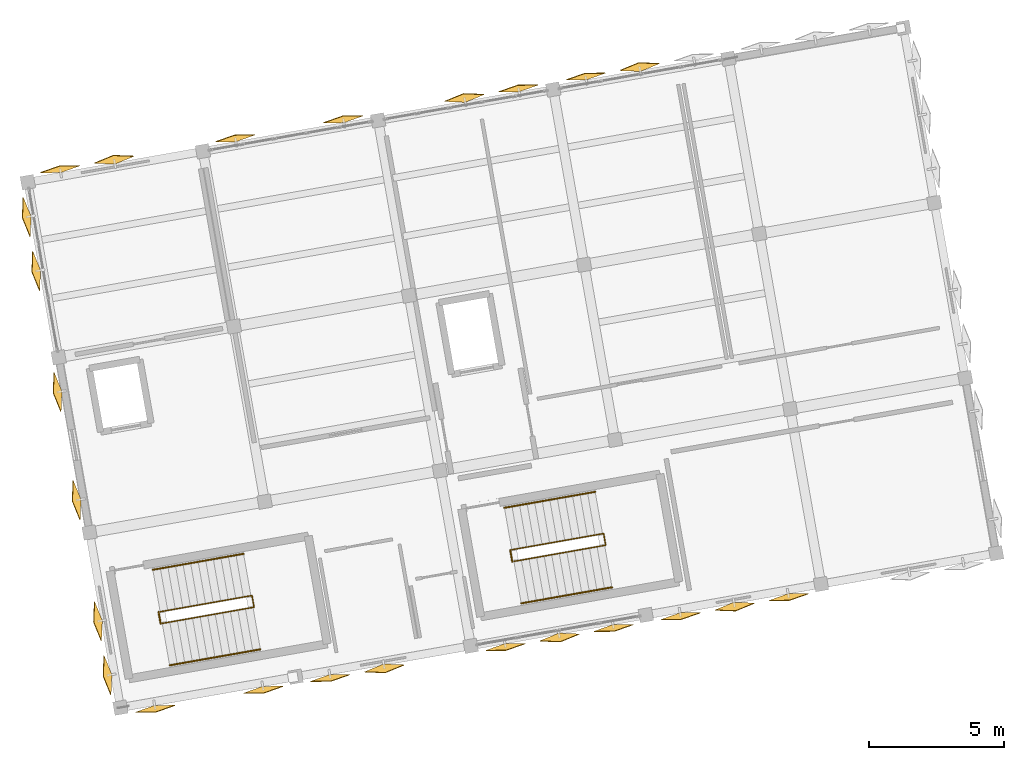
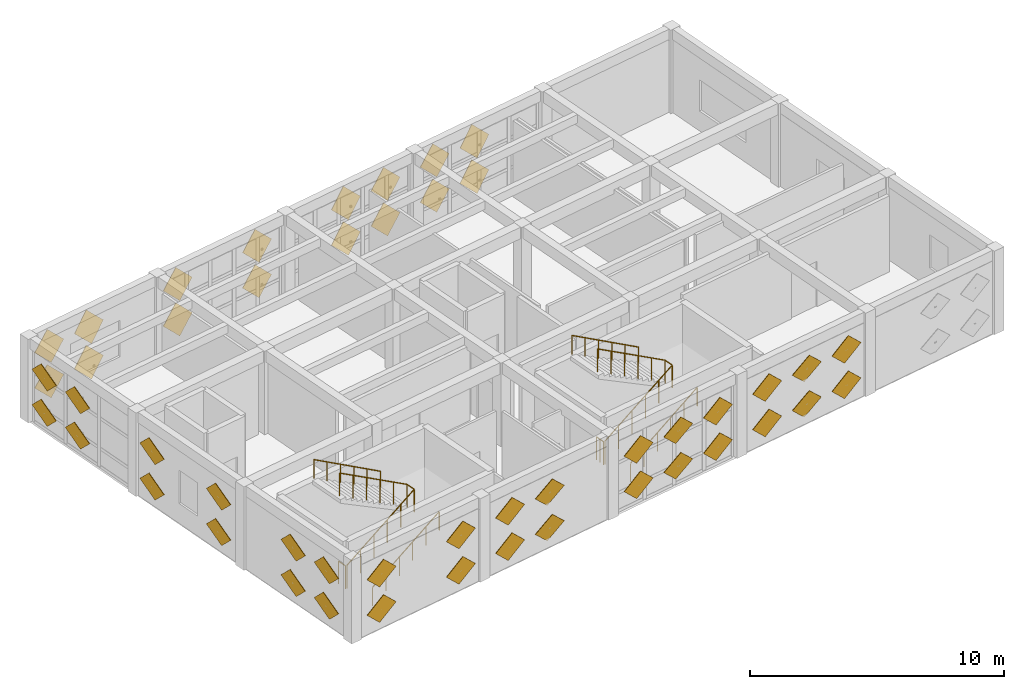
# One storey, part 14 of 15: 48 coverings, 8 railings.
"""IFC4 building model written with IfcOpenShell, lengths in metres."""

from ifc_helpers import new_model, si_unit, direction, frame, origin, origin_2d, place, context, subcontext, project, spatial, polyline, circle, outline, extrude, material, type_object, element, save


model = new_model("IFC4")

# Units and contexts
model_context = context("Model", 3, precision=1e-05, world=origin(), true_north=direction((0.0, 1.0)))
body_context = subcontext(model_context, "Body", "Model", "MODEL_VIEW")
ifc_project = project(units=[si_unit("LENGTHUNIT", "METRE"), si_unit("AREAUNIT", "SQUARE_METRE"), si_unit("VOLUMEUNIT", "CUBIC_METRE"), si_unit("PLANEANGLEUNIT", "RADIAN"), si_unit("MASSUNIT", "GRAM", prefix="KILO")], contexts=[model_context])

# Site, building, storey
site_placement = place(None, origin())
site = spatial("IfcSite", under=ifc_project, at=site_placement, CompositionType="ELEMENT")
building_placement = place(site_placement, origin())
building = spatial("IfcBuilding", under=site, at=building_placement, Name="Kharisveld Research Institute", CompositionType="ELEMENT")
storey_placement = place(building_placement, frame((0.0, 0.0, 40.800048828125)))
storey = spatial("IfcBuildingStorey", under=building, at=storey_placement, Name="L09", CompositionType="ELEMENT", Elevation=40.800048828125)

# Railings
ifc_material_1 = material(Name="Steel S355JR", Category="steel")
railing_type_1 = type_object("IfcRailingType", Name="RL_GRD_STR", PredefinedType="GUARDRAIL", material=ifc_material_1)
railing_1_placement = place(storey_placement, frame((6.75048828125, 38.13671875, 0.0)))
element("IfcRailing", 1, at=railing_1_placement, inside=storey, type_object=railing_type_1, Name="RLG:ST1:L09:GRD_SLOT", PredefinedType="GUARDRAIL", context=body_context, shape_type="SweptSolid", body=[
    extrude(circle(Radius=0.02392578125, at=origin_2d()), frame((0.0, 0.0, 1.09619140625), z_axis=(0.841896624573, 0.148449351084, 0.518818719492), x_axis=(-0.173648473997, 0.984807700761, 0.0)), (0.0, 0.0, 1.0), 4.04736328125),
    extrude(circle(Radius=0.02392578125, at=origin_2d()), frame((3.407470703125, 0.600830078125, 3.19580078125), z_axis=(-0.173658729201, 0.984805892434, 0.0), x_axis=(-0.984805892434, -0.173658729201, 0.0)), (0.0, 0.0, 1.0), 0.43994140625),
    extrude(circle(Radius=0.02392578125, at=origin_2d()), frame((3.3310546875, 1.0341796875, 3.19580078125), z_axis=(-0.841852707203, -0.148452243653, 0.518889150714), x_axis=(0.173660541335, -0.984805572884, 0.0)), (0.0, 0.0, 1.0), 4.04736328125),
    extrude(circle(Radius=0.02099609375, at=origin_2d()), origin(), (0.0, 0.0, 1.0), 1.072021484375),
    extrude(circle(Radius=0.02099609375, at=origin_2d()), frame((0.681396484375, 0.1201171875, 0.419921875)), (0.0, 0.0, 1.0), 1.072021484375),
    extrude(circle(Radius=0.02099609375, at=origin_2d()), frame((1.363037109375, 0.240234375, 0.83984375)), (0.0, 0.0, 1.0), 1.072021484375),
    extrude(circle(Radius=0.02099609375, at=origin_2d()), frame((2.04443359375, 0.360595703125, 1.260009765625)), (0.0, 0.0, 1.0), 1.072021484375),
    extrude(circle(Radius=0.02099609375, at=origin_2d()), frame((2.72607421875, 0.480712890625, 1.679931640625)), (0.0, 0.0, 1.0), 1.072021484375),
    extrude(circle(Radius=0.02099609375, at=origin_2d()), frame((3.407470703125, 0.600830078125, 2.099853515625)), (0.0, 0.0, 1.0), 1.072021484375),
    extrude(circle(Radius=0.02099609375, at=origin_2d()), frame((3.3310546875, 1.0341796875, 2.099853515625)), (0.0, 0.0, 1.0), 1.072021484375),
    extrude(circle(Radius=0.02099609375, at=origin_2d()), frame((2.649658203125, 0.9140625, 2.519775390625)), (0.0, 0.0, 1.0), 1.072021484375),
    extrude(circle(Radius=0.02099609375, at=origin_2d()), frame((1.96826171875, 0.7939453125, 2.93994140625)), (0.0, 0.0, 1.0), 1.072021484375),
    extrude(circle(Radius=0.02099609375, at=origin_2d()), frame((1.28662109375, 0.673583984375, 3.35986328125)), (0.0, 0.0, 1.0), 1.072021484375),
    extrude(circle(Radius=0.02099609375, at=origin_2d()), frame((0.605224609375, 0.553466796875, 3.780029296875)), (0.0, 0.0, 1.0), 1.072021484375),
    extrude(circle(Radius=0.02099609375, at=origin_2d()), frame((-0.076171875, 0.433349609375, 4.199951171875)), (0.0, 0.0, 1.0), 1.072021484375),
])
railing_2_placement = place(storey_placement, frame((6.69140625, 38.12646484375, 0.0)))
element("IfcRailing", 2, at=railing_2_placement, inside=storey, type_object=railing_type_1, Name="RLG:ST1:L09:GRD_FLRSLOT", PredefinedType="GUARDRAIL", context=body_context, shape_type="SweptSolid", body=[
    extrude(circle(Radius=0.02392578125, at=origin_2d()), frame((0.0, 0.0, 1.09619140625), z_axis=(-0.173753665698, 0.984789146801, 0.0), x_axis=(-0.984789146801, -0.173753665698, 0.0)), (0.0, 0.0, 1.0), 0.439697265625),
    extrude(circle(Radius=0.02099609375, at=origin_2d()), origin(), (0.0, 0.0, 1.0), 1.072021484375),
    extrude(circle(Radius=0.02099609375, at=origin_2d()), frame((-0.076416015625, 0.43310546875, 0.0)), (0.0, 0.0, 1.0), 1.072021484375),
])
railing_3_placement = place(storey_placement, frame((19.79931640625, 40.4375, 0.0)))
element("IfcRailing", 3, at=railing_3_placement, inside=storey, type_object=railing_type_1, Name="RLG:ST2:L09:GRD_SLOT", PredefinedType="GUARDRAIL", context=body_context, shape_type="SweptSolid", body=[
    extrude(circle(Radius=0.02392578125, at=origin_2d()), frame((0.0, 0.0, 1.09619140625), z_axis=(0.841896624573, 0.148449351084, 0.518818719492), x_axis=(-0.173648473997, 0.984807700761, 0.0)), (0.0, 0.0, 1.0), 4.04736328125),
    extrude(circle(Radius=0.02392578125, at=origin_2d()), frame((3.407470703125, 0.600830078125, 3.19580078125), z_axis=(-0.173658729201, 0.984805892434, 0.0), x_axis=(-0.984805892434, -0.173658729201, 0.0)), (0.0, 0.0, 1.0), 0.43994140625),
    extrude(circle(Radius=0.02392578125, at=origin_2d()), frame((3.3310546875, 1.0341796875, 3.19580078125), z_axis=(-0.841870276676, -0.14844470523, 0.518862801459), x_axis=(0.173648473997, -0.984807700761, 0.0)), (0.0, 0.0, 1.0), 4.047607421875),
    extrude(circle(Radius=0.02099609375, at=origin_2d()), origin(), (0.0, 0.0, 1.0), 1.072021484375),
    extrude(circle(Radius=0.02099609375, at=origin_2d()), frame((0.681396484375, 0.1201171875, 0.419921875)), (0.0, 0.0, 1.0), 1.072021484375),
    extrude(circle(Radius=0.02099609375, at=origin_2d()), frame((1.363037109375, 0.240234375, 0.83984375)), (0.0, 0.0, 1.0), 1.072021484375),
    extrude(circle(Radius=0.02099609375, at=origin_2d()), frame((2.04443359375, 0.360595703125, 1.260009765625)), (0.0, 0.0, 1.0), 1.072021484375),
    extrude(circle(Radius=0.02099609375, at=origin_2d()), frame((2.72607421875, 0.480712890625, 1.679931640625)), (0.0, 0.0, 1.0), 1.072021484375),
    extrude(circle(Radius=0.02099609375, at=origin_2d()), frame((3.407470703125, 0.600830078125, 2.099853515625)), (0.0, 0.0, 1.0), 1.072021484375),
    extrude(circle(Radius=0.02099609375, at=origin_2d()), frame((3.3310546875, 1.0341796875, 2.099853515625)), (0.0, 0.0, 1.0), 1.072021484375),
    extrude(circle(Radius=0.02099609375, at=origin_2d()), frame((2.649658203125, 0.9140625, 2.519775390625)), (0.0, 0.0, 1.0), 1.072021484375),
    extrude(circle(Radius=0.02099609375, at=origin_2d()), frame((1.968017578125, 0.7939453125, 2.93994140625)), (0.0, 0.0, 1.0), 1.072021484375),
    extrude(circle(Radius=0.02099609375, at=origin_2d()), frame((1.28662109375, 0.673583984375, 3.35986328125)), (0.0, 0.0, 1.0), 1.072021484375),
    extrude(circle(Radius=0.02099609375, at=origin_2d()), frame((0.60498046875, 0.553466796875, 3.780029296875)), (0.0, 0.0, 1.0), 1.072021484375),
    extrude(circle(Radius=0.02099609375, at=origin_2d()), frame((-0.076416015625, 0.433349609375, 4.199951171875)), (0.0, 0.0, 1.0), 1.072021484375),
])
railing_4_placement = place(storey_placement, frame((19.740234375, 40.42724609375, 0.0)))
element("IfcRailing", 4, at=railing_4_placement, inside=storey, type_object=railing_type_1, Name="RLG:ST2:L09:GRD_FLRSLOT", PredefinedType="GUARDRAIL", context=body_context, shape_type="SweptSolid", body=[
    extrude(circle(Radius=0.02392578125, at=origin_2d()), frame((0.0, 0.0, 1.09619140625), z_axis=(-0.173658729201, 0.984805892434, 0.0), x_axis=(-0.984805892434, -0.173658729201, 0.0)), (0.0, 0.0, 1.0), 0.43994140625),
    extrude(circle(Radius=0.02099609375, at=origin_2d()), origin(), (0.0, 0.0, 1.0), 1.072021484375),
    extrude(circle(Radius=0.02099609375, at=origin_2d()), frame((-0.0380859375, 0.216796875, 0.0)), (0.0, 0.0, 1.0), 1.072021484375),
    extrude(circle(Radius=0.02099609375, at=origin_2d()), frame((-0.076416015625, 0.433349609375, 0.0)), (0.0, 0.0, 1.0), 1.072021484375),
])
ifc_material_2 = material(Name="Stainless Steel 316", Category="steel")
railing_type_2 = type_object("IfcRailingType", Name="RL_HND_STR", PredefinedType="HANDRAIL", material=ifc_material_2)
railing_5_placement = place(storey_placement, frame((7.02490234375, 36.580810546875, 0.0)))
element("IfcRailing", 5, at=railing_5_placement, inside=storey, type_object=railing_type_2, Name="RLG:ST1:L09:HR1", PredefinedType="HANDRAIL", context=body_context, shape_type="SweptSolid", body=[
    extrude(circle(Radius=0.02392578125, at=origin_2d()), frame((0.0, 0.0, 0.89599609375), z_axis=(0.839253735377, 0.14794614993, 0.523225672512), x_axis=(-0.173606152129, 0.984815162324, 0.0)), (0.0, 0.0, 1.0), 4.01318359375),
    extrude(circle(Radius=0.02099609375, at=origin_2d()), origin(), (0.0, 0.0, 1.0), 0.871826171875),
    extrude(circle(Radius=0.02099609375, at=origin_2d()), frame((0.673583984375, 0.11865234375, 0.419921875)), (0.0, 0.0, 1.0), 0.871826171875),
    extrude(circle(Radius=0.02099609375, at=origin_2d()), frame((1.34716796875, 0.237548828125, 0.83984375)), (0.0, 0.0, 1.0), 0.871826171875),
    extrude(circle(Radius=0.02099609375, at=origin_2d()), frame((2.02099609375, 0.356201171875, 1.260009765625)), (0.0, 0.0, 1.0), 0.871826171875),
    extrude(circle(Radius=0.02099609375, at=origin_2d()), frame((2.694580078125, 0.47509765625, 1.679931640625)), (0.0, 0.0, 1.0), 0.871826171875),
    extrude(circle(Radius=0.02099609375, at=origin_2d()), frame((3.3681640625, 0.59375, 2.099853515625)), (0.0, 0.0, 1.0), 0.871826171875),
])
railing_6_placement = place(storey_placement, frame((9.767822265625, 40.719970703125, 2.099853515625)))
element("IfcRailing", 6, at=railing_6_placement, inside=storey, type_object=railing_type_2, Name="RLG:ST1:L09:HR2", PredefinedType="HANDRAIL", context=body_context, shape_type="SweptSolid", body=[
    extrude(circle(Radius=0.02392578125, at=origin_2d()), frame((0.0, 0.0, 0.89599609375), z_axis=(-0.839201478433, -0.148008495616, 0.523291853387), x_axis=(0.173687593446, -0.984800802134, 0.0)), (0.0, 0.0, 1.0), 4.01318359375),
    extrude(circle(Radius=0.02099609375, at=origin_2d()), origin(), (0.0, 0.0, 1.0), 0.871826171875),
    extrude(circle(Radius=0.02099609375, at=origin_2d()), frame((-0.673583984375, -0.118896484375, 0.419921875)), (0.0, 0.0, 1.0), 0.871826171875),
    extrude(circle(Radius=0.02099609375, at=origin_2d()), frame((-1.34716796875, -0.237548828125, 0.840087890625)), (0.0, 0.0, 1.0), 0.871826171875),
    extrude(circle(Radius=0.02099609375, at=origin_2d()), frame((-2.020751953125, -0.3564453125, 1.260009765625)), (0.0, 0.0, 1.0), 0.871826171875),
    extrude(circle(Radius=0.02099609375, at=origin_2d()), frame((-2.6943359375, -0.47509765625, 1.68017578125)), (0.0, 0.0, 1.0), 0.871826171875),
    extrude(circle(Radius=0.02099609375, at=origin_2d()), frame((-3.367919921875, -0.593994140625, 2.10009765625)), (0.0, 0.0, 1.0), 0.871826171875),
])
railing_7_placement = place(storey_placement, frame((20.07373046875, 38.881591796875, 0.0)))
element("IfcRailing", 7, at=railing_7_placement, inside=storey, type_object=railing_type_2, Name="RLG:ST2:L09:HR1", PredefinedType="HANDRAIL", context=body_context, shape_type="SweptSolid", body=[
    extrude(circle(Radius=0.02392578125, at=origin_2d()), frame((0.0, 0.0, 0.89599609375), z_axis=(0.839228193129, 0.148013207241, 0.523247675905), x_axis=(-0.173687593446, 0.984800802134, 0.0)), (0.0, 0.0, 1.0), 4.01318359375),
    extrude(circle(Radius=0.02099609375, at=origin_2d()), origin(), (0.0, 0.0, 1.0), 0.871826171875),
    extrude(circle(Radius=0.02099609375, at=origin_2d()), frame((0.673583984375, 0.118896484375, 0.419921875)), (0.0, 0.0, 1.0), 0.871826171875),
    extrude(circle(Radius=0.02099609375, at=origin_2d()), frame((1.34716796875, 0.237548828125, 0.83984375)), (0.0, 0.0, 1.0), 0.871826171875),
    extrude(circle(Radius=0.02099609375, at=origin_2d()), frame((2.020751953125, 0.3564453125, 1.260009765625)), (0.0, 0.0, 1.0), 0.871826171875),
    extrude(circle(Radius=0.02099609375, at=origin_2d()), frame((2.6943359375, 0.47509765625, 1.679931640625)), (0.0, 0.0, 1.0), 0.871826171875),
    extrude(circle(Radius=0.02099609375, at=origin_2d()), frame((3.367919921875, 0.593994140625, 2.099853515625)), (0.0, 0.0, 1.0), 0.871826171875),
])
railing_8_placement = place(storey_placement, frame((22.816650390625, 43.020751953125, 2.099853515625)))
element("IfcRailing", 8, at=railing_8_placement, inside=storey, type_object=railing_type_2, Name="RLG:ST2:L09:HR2", PredefinedType="HANDRAIL", context=body_context, shape_type="SweptSolid", body=[
    extrude(circle(Radius=0.02392578125, at=origin_2d()), frame((0.0, 0.0, 0.89599609375), z_axis=(-0.839227022115, -0.147941440837, 0.523269849538), x_axis=(0.173606152129, -0.984815162324, 0.0)), (0.0, 0.0, 1.0), 4.013427734375),
    extrude(circle(Radius=0.02099609375, at=origin_2d()), origin(), (0.0, 0.0, 1.0), 0.871826171875),
    extrude(circle(Radius=0.02099609375, at=origin_2d()), frame((-0.673583984375, -0.11865234375, 0.419921875)), (0.0, 0.0, 1.0), 0.871826171875),
    extrude(circle(Radius=0.02099609375, at=origin_2d()), frame((-1.34716796875, -0.237548828125, 0.840087890625)), (0.0, 0.0, 1.0), 0.871826171875),
    extrude(circle(Radius=0.02099609375, at=origin_2d()), frame((-2.02099609375, -0.356201171875, 1.260009765625)), (0.0, 0.0, 1.0), 0.871826171875),
    extrude(circle(Radius=0.02099609375, at=origin_2d()), frame((-2.694580078125, -0.47509765625, 1.68017578125)), (0.0, 0.0, 1.0), 0.871826171875),
    extrude(circle(Radius=0.02099609375, at=origin_2d()), frame((-3.3681640625, -0.59375, 2.10009765625)), (0.0, 0.0, 1.0), 0.871826171875),
])

# Coverings
ifc_material_3 = material(Name="White Powder-Coated Perforated Aluminium", Category="aluminium")
covering_type = type_object("IfcCoveringType", Name="CV_DIA_105", PredefinedType="CLADDING")
for number, where, z_axis, x_axis, name in (
    (9, (4.8828125, 36.23681640625, 0.3251953125), (0.961487125864, 0.169504241221, 0.216358080518), (-0.27342850239, 0.669853329409, 0.690313965642), "SHD:V1:L09:W0:S0C0"),
    (10, (4.8828125, 36.23681640625, 2.025146484375), (0.961487125864, 0.169504241221, 0.216358080518), (-0.27342850239, 0.669853329409, 0.690313965642), "SHD:V1:L09:W0:S0C1"),
):
    element("IfcCovering", number, at=place(storey_placement, frame(where, z_axis=z_axis, x_axis=x_axis)), inside=storey, type_object=covering_type, material=ifc_material_3, Name=name, PredefinedType="CLADDING", context=body_context, shape_type="SweptSolid", body=[
        extrude(outline(polyline([(0.0, 0.0), (1.0500345519602505, 0.0), (1.0499807392517624, 1.0499534878027108), (-5.381270848814346e-05, 1.049953487802711), (0.0, 0.0)])), origin(), (0.0, 0.0, -1.0), 0.02392578125),
    ])
for number, where, z_axis, x_axis, name in (
    (11, (4.529052734375, 38.24267578125, 0.3251953125), (0.961476347302, 0.169530643305, 0.21638529192), (-0.273471090272, 0.669725119033, 0.690421485559), "SHD:V1:L09:W0:S1C0"),
    (12, (4.529052734375, 38.24267578125, 2.025146484375), (0.961476347302, 0.169530643305, 0.21638529192), (-0.273471090272, 0.669725119033, 0.690421485559), "SHD:V1:L09:W0:S1C1"),
):
    element("IfcCovering", number, at=place(storey_placement, frame(where, z_axis=z_axis, x_axis=x_axis)), inside=storey, type_object=covering_type, material=ifc_material_3, Name=name, PredefinedType="CLADDING", context=body_context, shape_type="SweptSolid", body=[
        extrude(outline(polyline([(0.0, 0.0), (1.0498710291992122, 0.0), (1.0499937163043682, 1.0499534820137317), (0.00012268710515594972, 1.049953482013732), (0.0, 0.0)])), origin(), (0.0, 0.0, -1.0), 0.02392578125),
    ])
for number, where, z_axis, x_axis, name in (
    (13, (3.73681640625, 42.736572265625, 0.3251953125), (0.961425979727, 0.169653966706, 0.216512394765), (-0.27364360613, 0.669810730042, 0.69027006508), "SHD:V1:L09:W1:S0C0"),
    (14, (3.73681640625, 42.736572265625, 2.025146484375), (0.961425979727, 0.169653966706, 0.216512394765), (-0.27364360613, 0.669810730042, 0.69027006508), "SHD:V1:L09:W1:S0C1"),
):
    element("IfcCovering", number, at=place(storey_placement, frame(where, z_axis=z_axis, x_axis=x_axis)), inside=storey, type_object=covering_type, material=ifc_material_3, Name=name, PredefinedType="CLADDING", context=body_context, shape_type="SweptSolid", body=[
        extrude(outline(polyline([(0.0, 0.0), (1.0501013332243323, 1.1102230246251565e-16), (1.050054335240126, 1.049953488129867), (-4.699798420648715e-05, 1.049953488129867), (0.0, 0.0)])), origin(), (0.0, 0.0, -1.0), 0.02392578125),
    ])
for number, where, z_axis, x_axis, name in (
    (15, (3.029541015625, 46.748046875, 0.3251953125), (0.961453431325, 0.169498301082, 0.216512413788), (-0.273536150679, 0.669829678259, 0.690294267972), "SHD:V1:L09:W1:S2C0"),
    (16, (3.029541015625, 46.748046875, 2.025146484375), (0.961453431325, 0.169498301082, 0.216512413788), (-0.273536150679, 0.669829678259, 0.690294267972), "SHD:V1:L09:W1:S2C1"),
):
    element("IfcCovering", number, at=place(storey_placement, frame(where, z_axis=z_axis, x_axis=x_axis)), inside=storey, type_object=covering_type, material=ifc_material_3, Name=name, PredefinedType="CLADDING", context=body_context, shape_type="SweptSolid", body=[
        extrude(outline(polyline([(0.0, 0.0), (1.050101326665668, -1.1102230246251565e-16), (1.050054341798497, 1.049953481570866), (1.9796419616024963e-05, 1.0499603230588543), (0.0, 0.0)])), origin(), (0.0, 0.0, -1.0), 0.02392578125),
    ])
for number, where, z_axis, x_axis, name in (
    (17, (2.237060546875, 51.2421875, 0.3251953125), (0.961420032054, 0.169652917176, 0.216539626071), (-0.273667258538, 0.669685861016, 0.690381835769), "SHD:V1:L09:W2:S1C0"),
    (18, (2.237060546875, 51.2421875, 2.025146484375), (0.961420032054, 0.169652917176, 0.216539626071), (-0.273667258538, 0.669685861016, 0.690381835769), "SHD:V1:L09:W2:S1C1"),
):
    element("IfcCovering", number, at=place(storey_placement, frame(where, z_axis=z_axis, x_axis=x_axis)), inside=storey, type_object=covering_type, material=ifc_material_3, Name=name, PredefinedType="CLADDING", context=body_context, shape_type="SweptSolid", body=[
        extrude(outline(polyline([(0.0, 0.0), (1.0499378206599106, 0.0), (1.0500673127316735, 1.0499534809922781), (-3.40054528989997e-05, 1.0501299963078314), (0.0, 0.0)])), origin(), (0.0, 0.0, -1.0), 0.02392578125),
    ])
for number, where, z_axis, x_axis, name in (
    (19, (1.88330078125, 53.247802734375, 0.3251953125), (0.961481187298, 0.169503194288, 0.216385289699), (-0.273447448775, 0.669849989418, 0.690309701826), "SHD:V1:L09:W2:S2C0"),
    (20, (1.88330078125, 53.247802734375, 2.025146484375), (0.961481187298, 0.169503194288, 0.216385289699), (-0.273447448775, 0.669849989418, 0.690309701826), "SHD:V1:L09:W2:S2C1"),
):
    element("IfcCovering", number, at=place(storey_placement, frame(where, z_axis=z_axis, x_axis=x_axis)), inside=storey, type_object=covering_type, material=ifc_material_3, Name=name, PredefinedType="CLADDING", context=body_context, shape_type="SweptSolid", body=[
        extrude(outline(polyline([(0.0, 0.0), (1.0500345517563856, -1.1102230246251565e-16), (1.0498172010450848, 1.0501299743656882), (-5.381311622809637e-05, 1.0499534875988095), (0.0, 0.0)])), origin(), (0.0, 0.0, -1.0), 0.02392578125),
    ])
for number, where, z_axis, x_axis, name in (
    (21, (2.98193359375, 54.864013671875, 0.317626953125), (0.171238636855, -0.971325222312, 0.164938296792), (0.676075661849, 0.237622709321, 0.697464800165), "SHD:V1:L09:N0:S0C0"),
    (22, (2.98193359375, 54.864013671875, 2.017578125), (0.171238636855, -0.971325222312, 0.164938296792), (0.676075661849, 0.237622709321, 0.697464800165), "SHD:V1:L09:N0:S0C1"),
):
    element("IfcCovering", number, at=place(storey_placement, frame(where, z_axis=z_axis, x_axis=x_axis)), inside=storey, type_object=covering_type, material=ifc_material_3, Name=name, PredefinedType="CLADDING", context=body_context, shape_type="SweptSolid", body=[
        extrude(outline(polyline([(0.0, 0.0), (1.050115438007933, 0.0), (1.0501038593359955, 1.049914857016463), (0.00015870082029023624, 1.050085115691115), (0.0, 0.0)])), origin(), (0.0, 0.0, -1.0), 0.02392578125),
    ])
for number, where, z_axis, x_axis, name in (
    (23, (4.994384765625, 55.179931640625, 0.3251953125), (0.169497253476, -0.961447488939, 0.216539620108), (0.669826337005, 0.273555095257, 0.690290002907), "SHD:V1:L09:N0:S1C0"),
    (24, (4.994384765625, 55.179931640625, 2.025146484375), (0.169497253476, -0.961447488939, 0.216539620108), (0.669826337005, 0.273555095257, 0.690290002907), "SHD:V1:L09:N0:S1C1"),
):
    element("IfcCovering", number, at=place(storey_placement, frame(where, z_axis=z_axis, x_axis=x_axis)), inside=storey, type_object=covering_type, material=ifc_material_3, Name=name, PredefinedType="CLADDING", context=body_context, shape_type="SweptSolid", body=[
        extrude(outline(polyline([(0.0, 0.0), (1.0501013287743868, 0.0), (1.0498908116789152, 1.0501299715118642), (1.9800637014233402e-05, 1.0499603251677767), (0.0, 0.0)])), origin(), (0.0, 0.0, -1.0), 0.02392578125),
    ])
for number, where, z_axis, x_axis, name in (
    (25, (9.481689453125, 56.010009765625, 0.317626953125), (0.171234061711, -0.9712992705, 0.165095800177), (0.67605633082, 0.237732396439, 0.697446159385), "SHD:V1:L09:N1:S0C0"),
    (26, (9.481689453125, 56.010009765625, 2.017578125), (0.171234061711, -0.9712992705, 0.165095800177), (0.67605633082, 0.237732396439, 0.697446159385), "SHD:V1:L09:N1:S0C1"),
):
    element("IfcCovering", number, at=place(storey_placement, frame(where, z_axis=z_axis, x_axis=x_axis)), inside=storey, type_object=covering_type, material=ifc_material_3, Name=name, PredefinedType="CLADDING", context=body_context, shape_type="SweptSolid", body=[
        extrude(outline(polyline([(0.0, 0.0), (1.050115429038497, -1.1102230246251565e-16), (1.0501618771158647, 1.0499129452537745), (0.00015868288277420817, 1.050085106724131), (0.0, 0.0)])), origin(), (0.0, 0.0, -1.0), 0.02392578125),
    ])
for number, where, z_axis, x_axis, name in (
    (27, (13.4931640625, 56.71728515625, 0.317626953125), (0.171391321025, -0.971271535422, 0.16509578903), (0.676038293912, 0.237842070836, 0.697426250226), "SHD:V1:L09:N1:S2C0"),
    (28, (13.4931640625, 56.71728515625, 2.017578125), (0.171391321025, -0.971271535422, 0.16509578903), (0.676038293912, 0.237842070836, 0.697426250226), "SHD:V1:L09:N1:S2C1"),
):
    element("IfcCovering", number, at=place(storey_placement, frame(where, z_axis=z_axis, x_axis=x_axis)), inside=storey, type_object=covering_type, material=ifc_material_3, Name=name, PredefinedType="CLADDING", context=body_context, shape_type="SweptSolid", body=[
        extrude(outline(polyline([(0.0, 0.0), (1.0501734735939505, -1.1102230246251565e-16), (1.0501599658262741, 1.049914856993047), (0.00015676231294525778, 1.0500851159819262), (0.0, 0.0)])), origin(), (0.0, 0.0, -1.0), 0.02392578125),
    ])
for number, where, z_axis, x_axis, name in (
    (29, (17.993896484375, 57.47216796875, 0.3251953125), (0.169530643305, -0.961476347302, 0.21638529192), (0.669725119033, 0.273471090272, 0.690421485559), "SHD:V1:L09:N2:S1C0"),
    (30, (17.993896484375, 57.47216796875, 2.025146484375), (0.169530643305, -0.961476347302, 0.21638529192), (0.669725119033, 0.273471090272, 0.690421485559), "SHD:V1:L09:N2:S1C1"),
):
    element("IfcCovering", number, at=place(storey_placement, frame(where, z_axis=z_axis, x_axis=x_axis)), inside=storey, type_object=covering_type, material=ifc_material_3, Name=name, PredefinedType="CLADDING", context=body_context, shape_type="SweptSolid", body=[
        extrude(outline(polyline([(0.0, 0.0), (1.0498710291992122, 0.0), (1.0499937163043682, 1.0499534820137317), (0.00012268710515594972, 1.049953482013732), (0.0, 0.0)])), origin(), (0.0, 0.0, -1.0), 0.02392578125),
    ])
for number, where, z_axis, x_axis, name in (
    (31, (19.992919921875, 57.863525390625, 0.317626953125), (0.171238636855, -0.971325222312, 0.164938296792), (0.676075661849, 0.237622709321, 0.697464800165), "SHD:V1:L09:N2:S2C0"),
    (32, (19.992919921875, 57.863525390625, 2.017578125), (0.171238636855, -0.971325222312, 0.164938296792), (0.676075661849, 0.237622709321, 0.697464800165), "SHD:V1:L09:N2:S2C1"),
    (33, (22.481201171875, 58.30224609375, 0.317626953125), (0.171238636855, -0.971325222312, 0.164938296792), (0.676075661849, 0.237622709321, 0.697464800165), "SHD:V1:L09:N3:S0C0"),
    (34, (22.481201171875, 58.30224609375, 2.017578125), (0.171238636855, -0.971325222312, 0.164938296792), (0.676075661849, 0.237622709321, 0.697464800165), "SHD:V1:L09:N3:S0C1"),
):
    element("IfcCovering", number, at=place(storey_placement, frame(where, z_axis=z_axis, x_axis=x_axis)), inside=storey, type_object=covering_type, material=ifc_material_3, Name=name, PredefinedType="CLADDING", context=body_context, shape_type="SweptSolid", body=[
        extrude(outline(polyline([(0.0, 0.0), (1.050115438007933, 0.0), (1.0501038593359955, 1.049914857016463), (0.00015870082029023624, 1.050085115691115), (0.0, 0.0)])), origin(), (0.0, 0.0, -1.0), 0.02392578125),
    ])
for number, where, z_axis, x_axis, name in (
    (35, (24.49365234375, 58.6181640625, 0.3251953125), (0.169497253476, -0.961447488939, 0.216539620108), (0.669704807286, 0.273559805143, 0.690406042925), "SHD:V1:L09:N3:S1C0"),
    (36, (24.49365234375, 58.6181640625, 2.025146484375), (0.169497253476, -0.961447488939, 0.216539620108), (0.669704807286, 0.273559805143, 0.690406042925), "SHD:V1:L09:N3:S1C1"),
):
    element("IfcCovering", number, at=place(storey_placement, frame(where, z_axis=z_axis, x_axis=x_axis)), inside=storey, type_object=covering_type, material=ifc_material_3, Name=name, PredefinedType="CLADDING", context=body_context, shape_type="SweptSolid", body=[
        extrude(outline(polyline([(0.0, 0.0), (1.0499378117878446, 0.0), (1.0500673216048337, 1.0499534721181558), (3.2794728575202825e-05, 1.0501368269494782), (0.0, 0.0)])), origin(), (0.0, 0.0, -1.0), 0.02392578125),
    ])
for number, where, z_axis, x_axis, name in (
    (37, (29.978759765625, 39.239501953125, 0.317626953125), (-0.171238636855, 0.971325222312, 0.164938296792), (-0.676075661849, -0.237622709321, 0.697464800165), "SHD:V1:L09:S4:S0C0"),
    (38, (29.978759765625, 39.239501953125, 2.017578125), (-0.171238636855, 0.971325222312, 0.164938296792), (-0.676075661849, -0.237622709321, 0.697464800165), "SHD:V1:L09:S4:S0C1"),
):
    element("IfcCovering", number, at=place(storey_placement, frame(where, z_axis=z_axis, x_axis=x_axis)), inside=storey, type_object=covering_type, material=ifc_material_3, Name=name, PredefinedType="CLADDING", context=body_context, shape_type="SweptSolid", body=[
        extrude(outline(polyline([(0.0, 0.0), (1.050115438007933, 0.0), (1.0501038593359955, 1.049914857016463), (0.00015870082029023624, 1.050085115691115), (0.0, 0.0)])), origin(), (0.0, 0.0, -1.0), 0.02392578125),
    ])
for number, where, z_axis, x_axis, name in (
    (39, (27.96630859375, 38.923583984375, 0.3251953125), (-0.169497253476, 0.961447488939, 0.216539620108), (-0.669826337005, -0.273555095257, 0.690290002907), "SHD:V1:L09:S4:S1C0"),
    (40, (27.96630859375, 38.923583984375, 2.025146484375), (-0.169497253476, 0.961447488939, 0.216539620108), (-0.669826337005, -0.273555095257, 0.690290002907), "SHD:V1:L09:S4:S1C1"),
):
    element("IfcCovering", number, at=place(storey_placement, frame(where, z_axis=z_axis, x_axis=x_axis)), inside=storey, type_object=covering_type, material=ifc_material_3, Name=name, PredefinedType="CLADDING", context=body_context, shape_type="SweptSolid", body=[
        extrude(outline(polyline([(0.0, 0.0), (1.0501013287743868, 0.0), (1.0498908116789152, 1.0501299715118642), (1.9800637014233402e-05, 1.0499603251677767), (0.0, 0.0)])), origin(), (0.0, 0.0, -1.0), 0.02392578125),
    ])
for number, where, z_axis, x_axis, name in (
    (41, (25.96728515625, 38.5322265625, 0.317626953125), (-0.171234061711, 0.9712992705, 0.165095800177), (-0.67605633082, -0.237732396439, 0.697446159385), "SHD:V1:L09:S4:S2C0"),
    (42, (25.96728515625, 38.5322265625, 2.017578125), (-0.171234061711, 0.9712992705, 0.165095800177), (-0.67605633082, -0.237732396439, 0.697446159385), "SHD:V1:L09:S4:S2C1"),
    (43, (23.47900390625, 38.093505859375, 0.317626953125), (-0.171234061711, 0.9712992705, 0.165095800177), (-0.67605633082, -0.237732396439, 0.697446159385), "SHD:V1:L09:S3:S0C0"),
    (44, (23.47900390625, 38.093505859375, 2.017578125), (-0.171234061711, 0.9712992705, 0.165095800177), (-0.67605633082, -0.237732396439, 0.697446159385), "SHD:V1:L09:S3:S0C1"),
):
    element("IfcCovering", number, at=place(storey_placement, frame(where, z_axis=z_axis, x_axis=x_axis)), inside=storey, type_object=covering_type, material=ifc_material_3, Name=name, PredefinedType="CLADDING", context=body_context, shape_type="SweptSolid", body=[
        extrude(outline(polyline([(0.0, 0.0), (1.050115429038497, -1.1102230246251565e-16), (1.0501618771158647, 1.0499129452537745), (0.00015868288277420817, 1.050085106724131), (0.0, 0.0)])), origin(), (0.0, 0.0, -1.0), 0.02392578125),
    ])
for number, where, z_axis, x_axis, name in (
    (45, (21.466552734375, 37.77734375, 0.3251953125), (-0.169503194288, 0.961481187298, 0.216385289699), (-0.669849989418, -0.273447448775, 0.690309701826), "SHD:V1:L09:S3:S1C0"),
    (46, (21.466552734375, 37.77734375, 2.025146484375), (-0.169503194288, 0.961481187298, 0.216385289699), (-0.669849989418, -0.273447448775, 0.690309701826), "SHD:V1:L09:S3:S1C1"),
):
    element("IfcCovering", number, at=place(storey_placement, frame(where, z_axis=z_axis, x_axis=x_axis)), inside=storey, type_object=covering_type, material=ifc_material_3, Name=name, PredefinedType="CLADDING", context=body_context, shape_type="SweptSolid", body=[
        extrude(outline(polyline([(0.0, 0.0), (1.0500345517563856, -1.1102230246251565e-16), (1.0498172010450848, 1.0501299743656882), (-5.381311622809637e-05, 1.0499534875988095), (0.0, 0.0)])), origin(), (0.0, 0.0, -1.0), 0.02392578125),
    ])
for number, where, z_axis, x_axis, name in (
    (47, (19.467529296875, 37.38623046875, 0.317626953125), (-0.171234061711, 0.9712992705, 0.165095800177), (-0.676057632461, -0.237732410628, 0.697444892825), "SHD:V1:L09:S3:S2C0"),
    (48, (19.467529296875, 37.38623046875, 2.017578125), (-0.171234061711, 0.9712992705, 0.165095800177), (-0.676057632461, -0.237732410628, 0.697444892825), "SHD:V1:L09:S3:S2C1"),
):
    element("IfcCovering", number, at=place(storey_placement, frame(where, z_axis=z_axis, x_axis=x_axis)), inside=storey, type_object=covering_type, material=ifc_material_3, Name=name, PredefinedType="CLADDING", context=body_context, shape_type="SweptSolid", body=[
        extrude(outline(polyline([(0.0, 0.0), (1.050173469176079, 1.1102230246251565e-16), (1.0501599702440891, 1.049914852574201), (0.0002148158393612265, 1.050083199772804), (0.0, 0.0)])), origin(), (0.0, 0.0, -1.0), 0.02392578125),
    ])
for number, where, z_axis, x_axis, name in (
    (49, (14.966796875, 36.63134765625, 0.3251953125), (-0.16952470156, 0.961442649282, 0.216539621552), (-0.66970617229, -0.273578570302, 0.690397283213), "SHD:V1:L09:S2:S1C0"),
    (50, (14.966796875, 36.63134765625, 2.025146484375), (-0.16952470156, 0.961442649282, 0.216539621552), (-0.66970617229, -0.273578570302, 0.690397283213), "SHD:V1:L09:S2:S1C1"),
):
    element("IfcCovering", number, at=place(storey_placement, frame(where, z_axis=z_axis, x_axis=x_axis)), inside=storey, type_object=covering_type, material=ifc_material_3, Name=name, PredefinedType="CLADDING", context=body_context, shape_type="SweptSolid", body=[
        extrude(outline(polyline([(0.0, 0.0), (1.0498710226392558, 0.0), (1.0500604882684064, 1.0499603061510638), (0.00012267398601040203, 1.0499534754558235), (0.0, 0.0)])), origin(), (0.0, 0.0, -1.0), 0.02392578125),
    ])
for number, where, z_axis, x_axis, name in (
    (51, (12.9677734375, 36.239990234375, 0.317626953125), (-0.171238636855, 0.971325222312, 0.164938296792), (-0.676075661849, -0.237622709321, 0.697464800165), "SHD:V1:L09:S2:S2C0"),
    (52, (12.9677734375, 36.239990234375, 2.017578125), (-0.171238636855, 0.971325222312, 0.164938296792), (-0.676075661849, -0.237622709321, 0.697464800165), "SHD:V1:L09:S2:S2C1"),
    (53, (10.4794921875, 35.80126953125, 0.317626953125), (-0.171238636855, 0.971325222312, 0.164938296792), (-0.676075661849, -0.237622709321, 0.697464800165), "SHD:V1:L09:S1:S0C0"),
    (54, (10.4794921875, 35.80126953125, 2.017578125), (-0.171238636855, 0.971325222312, 0.164938296792), (-0.676075661849, -0.237622709321, 0.697464800165), "SHD:V1:L09:S1:S0C1"),
):
    element("IfcCovering", number, at=place(storey_placement, frame(where, z_axis=z_axis, x_axis=x_axis)), inside=storey, type_object=covering_type, material=ifc_material_3, Name=name, PredefinedType="CLADDING", context=body_context, shape_type="SweptSolid", body=[
        extrude(outline(polyline([(0.0, 0.0), (1.050115438007933, 0.0), (1.0501038593359955, 1.049914857016463), (0.00015870082029023624, 1.050085115691115), (0.0, 0.0)])), origin(), (0.0, 0.0, -1.0), 0.02392578125),
    ])
for number, where, z_axis, x_axis, name in (
    (55, (6.468017578125, 35.093994140625, 0.317626953125), (-0.171234061711, 0.9712992705, 0.165095800177), (-0.67605633082, -0.237732396439, 0.697446159385), "SHD:V1:L09:S1:S2C0"),
    (56, (6.468017578125, 35.093994140625, 2.017578125), (-0.171234061711, 0.9712992705, 0.165095800177), (-0.67605633082, -0.237732396439, 0.697446159385), "SHD:V1:L09:S1:S2C1"),
):
    element("IfcCovering", number, at=place(storey_placement, frame(where, z_axis=z_axis, x_axis=x_axis)), inside=storey, type_object=covering_type, material=ifc_material_3, Name=name, PredefinedType="CLADDING", context=body_context, shape_type="SweptSolid", body=[
        extrude(outline(polyline([(0.0, 0.0), (1.050115429038497, -1.1102230246251565e-16), (1.0501618771158647, 1.0499129452537745), (0.00015868288277420817, 1.050085106724131), (0.0, 0.0)])), origin(), (0.0, 0.0, -1.0), 0.02392578125),
    ])

save(model, "model.ifc")
